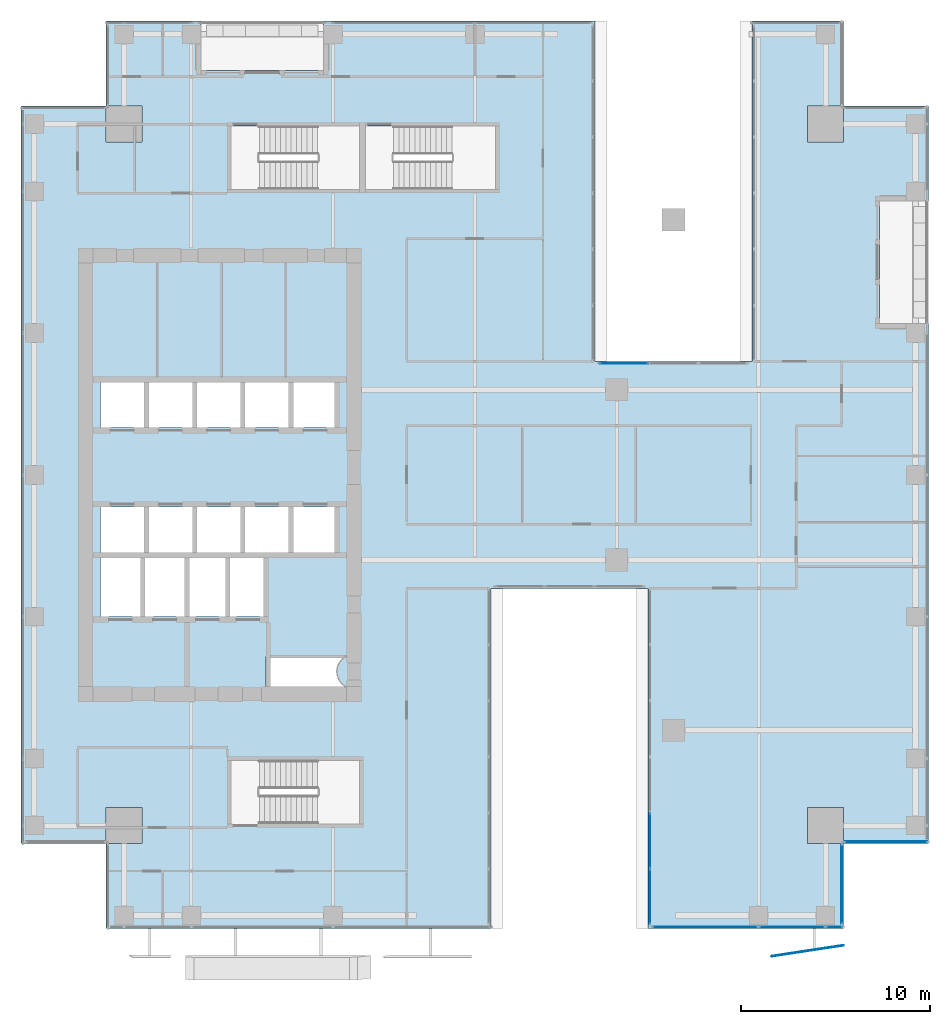
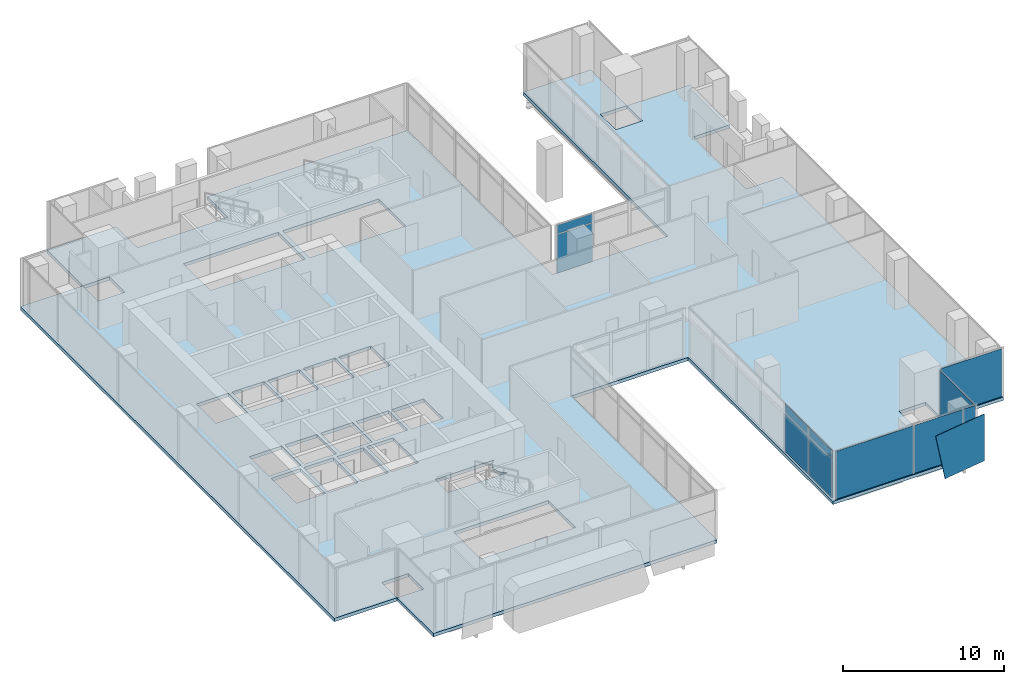
# One storey, part 30 of 40: 12 plates, 1 slab, 5 elements without a shape of their own.
"""IFC4 building model written with IfcOpenShell, lengths in metres."""

from ifc_helpers import new_model, si_unit, direction, frame, origin, origin_2d, place, context, subcontext, project, spatial, polyline, rectangle, outline, extrude, source, transform, mapped, material, layer, layer_set, type_object, element, aggregate, save


model = new_model("IFC4")

# Units and contexts
model_context = context("Model", 3, precision=1e-05, world=origin(), true_north=direction((0.0, 1.0)))
body_context = subcontext(model_context, "Body", "Model", "MODEL_VIEW")
ifc_project = project(units=[si_unit("LENGTHUNIT", "METRE"), si_unit("AREAUNIT", "SQUARE_METRE"), si_unit("VOLUMEUNIT", "CUBIC_METRE"), si_unit("PLANEANGLEUNIT", "RADIAN"), si_unit("MASSUNIT", "GRAM", prefix="KILO")], contexts=[model_context])

# Site, building, storey
site_placement = place(None, origin())
site = spatial("IfcSite", under=ifc_project, at=site_placement, CompositionType="ELEMENT")
building_placement = place(site_placement, origin())
building = spatial("IfcBuilding", under=site, at=building_placement, Name="Khomas Fold Tower", CompositionType="ELEMENT")
storey_placement = place(building_placement, frame((0.0, 0.0, 180.699951171875)))
storey = spatial("IfcBuildingStorey", under=building, at=storey_placement, Name="L39", CompositionType="ELEMENT", Elevation=180.699951171875)

# Plate
ifc_material_1 = material(Name="Clear laminated glass", Category="glass")
ifc_layer_1 = layer(ifc_material_1, 0.0400390625)
ifc_layer_set_1 = layer_set([ifc_layer_1], Name="Clear laminated glass")
plate_type_1 = type_object("IfcPlateType", Name="SK-Clear laminated glass leaf", PredefinedType="SHEET", material=ifc_layer_set_1)
plate_1_placement = place(storey_placement, frame((42.677978515625, 1.51904296875, 3.550048828125), z_axis=(0.150312170487, -0.988638584749, 1.2186045e-05), x_axis=(0.988638584823, 0.150312170498, -1.36e-10)))
element("IfcPlate", 1, at=plate_1_placement, inside=storey, type_object=plate_type_1, Name="OUTER SKIN glass L39 SG106-3", PredefinedType="SHEET", context=body_context, shape_type="SweptSolid", body=[
    extrude(outline(polyline([(0.0, 0.0), (3.8659375027305196, 0.0), (3.8659375032146244, -3.55004882786141), (0.7395909670662579, -3.5500488288149175), (0.0, 0.0)])), origin(), (0.0, 0.0, -1.0), 0.0400390625),
])

# Slab
ifc_material_2 = material(Name="Concrete C40/50", Category="concrete")
ifc_layer_2 = layer(ifc_material_2, 0.25)
ifc_layer_set_2 = layer_set([ifc_layer_2], Name="Concrete C40/50")
slab_type = type_object("IfcSlabType", Name="RC floor slab 250", PredefinedType="FLOOR", material=ifc_layer_set_2)
shared_shape_1 = source(origin(), body_context, "Body", "SweptSolid", [
    extrude(outline(polyline([(3.0, 7.5), (7.4951171875, 7.5), (7.4951171875, 9.405029296875), (9.405029296875, 9.405029296875), (9.405029296875, 7.4951171875), (7.5, 7.4951171875), (7.5, 3.0), (27.85009765625, 3.0), (27.85009765625, 21.0), (36.14990234375, 21.0), (36.14990234375, 3.0), (46.5, 3.0), (46.5, 7.4951171875), (44.594970703125, 7.4951171875), (44.594970703125, 9.405029296875), (46.5048828125, 9.405029296875), (46.5048828125, 7.5), (51.0, 7.5), (51.0, 35.0), (48.39990234375, 35.0), (48.39990234375, 41.5), (51.0, 41.5), (51.0, 46.5), (46.5048828125, 46.5), (46.5048828125, 44.594970703125), (44.594970703125, 44.594970703125), (44.594970703125, 46.5048828125), (46.5, 46.5048828125), (46.5, 51.0), (41.64990234375, 51.0), (41.64990234375, 33.0), (33.35009765625, 33.0), (33.35009765625, 51.0), (19.0, 51.0), (19.0, 48.39990234375), (12.5, 48.39990234375), (12.5, 51.0), (7.5, 51.0), (7.5, 46.5048828125), (9.405029296875, 46.5048828125), (9.405029296875, 44.594970703125), (7.4951171875, 44.594970703125), (7.4951171875, 46.5), (3.0, 46.5), (3.0, 7.5)]), holes=[polyline([(7.199951171875, 19.5), (7.199951171875, 22.60009765625), (9.300048828125, 22.60009765625), (9.300048828125, 19.5), (7.199951171875, 19.5)]), polyline([(7.199951171875, 22.89990234375), (7.199951171875, 25.300048828125), (9.5, 25.300048828125), (9.5, 22.89990234375), (7.199951171875, 22.89990234375)]), polyline([(7.199951171875, 29.5), (7.199951171875, 31.89990234375), (9.5, 31.89990234375), (9.5, 29.5), (7.199951171875, 29.5)]), polyline([(9.550048828125, 19.5), (9.550048828125, 22.60009765625), (11.64990234375, 22.60009765625), (11.64990234375, 19.5), (9.550048828125, 19.5)]), polyline([(9.75, 22.89990234375), (9.75, 25.300048828125), (12.050048828125, 25.300048828125), (12.050048828125, 22.89990234375), (9.75, 22.89990234375)]), polyline([(9.75, 29.5), (9.75, 31.89990234375), (12.050048828125, 31.89990234375), (12.050048828125, 29.5), (9.75, 29.5)]), polyline([(11.89990234375, 19.5), (11.89990234375, 22.60009765625), (13.800048828125, 22.60009765625), (13.800048828125, 19.5), (11.89990234375, 19.5)]), polyline([(12.300048828125, 22.89990234375), (12.300048828125, 25.300048828125), (14.60009765625, 25.300048828125), (14.60009765625, 22.89990234375), (12.300048828125, 22.89990234375)]), polyline([(12.300048828125, 29.5), (12.300048828125, 31.89990234375), (14.60009765625, 31.89990234375), (14.60009765625, 29.5), (12.300048828125, 29.5)]), polyline([(14.050048828125, 19.5), (14.050048828125, 22.60009765625), (15.949951171875, 22.60009765625), (15.949951171875, 19.5), (14.050048828125, 19.5)]), polyline([(14.10009765625, 8.550048828125), (14.10009765625, 11.89990234375), (20.89990234375, 11.89990234375), (20.89990234375, 8.550048828125), (14.10009765625, 8.550048828125)]), polyline([(14.10009765625, 42.10009765625), (14.10009765625, 45.449951171875), (20.89990234375, 45.449951171875), (20.89990234375, 42.10009765625), (14.10009765625, 42.10009765625)]), polyline([(14.85009765625, 22.89990234375), (14.85009765625, 25.300048828125), (17.14990234375, 25.300048828125), (17.14990234375, 22.89990234375), (14.85009765625, 22.89990234375)]), polyline([(14.85009765625, 29.5), (14.85009765625, 31.89990234375), (17.14990234375, 31.89990234375), (17.14990234375, 29.5), (14.85009765625, 29.5)]), polyline([(15.949951171875, 15.800048828125), (15.949951171875, 17.39990234375), (20.18896484375, 17.39990234375), (20.17578125, 17.393798828125), (20.10009765625, 17.348388671875), (20.029052734375, 17.295654296875), (19.963623046875, 17.236328125), (19.904296875, 17.1708984375), (19.851806640625, 17.10009765625), (19.806396484375, 17.0244140625), (19.7685546875, 16.9443359375), (19.73876953125, 16.861328125), (19.71728515625, 16.775634765625), (19.704345703125, 16.688232421875), (19.699951171875, 16.60009765625), (19.704345703125, 16.51171875), (19.71728515625, 16.42431640625), (19.73876953125, 16.338623046875), (19.7685546875, 16.255615234375), (19.806396484375, 16.17578125), (19.851806640625, 16.10009765625), (19.904296875, 16.029052734375), (19.963623046875, 15.963623046875), (20.029052734375, 15.904296875), (20.10009765625, 15.851806640625), (20.17578125, 15.806396484375), (20.18896484375, 15.800048828125), (15.949951171875, 15.800048828125)]), polyline([(17.39990234375, 22.89990234375), (17.39990234375, 25.300048828125), (19.699951171875, 25.300048828125), (19.699951171875, 22.89990234375), (17.39990234375, 22.89990234375)]), polyline([(17.39990234375, 29.5), (17.39990234375, 31.89990234375), (19.699951171875, 31.89990234375), (19.699951171875, 29.5), (17.39990234375, 29.5)]), polyline([(21.199951171875, 42.10009765625), (21.199951171875, 45.449951171875), (28.10009765625, 45.449951171875), (28.10009765625, 42.10009765625), (21.199951171875, 42.10009765625)])]), origin(), (0.0, 0.0, 1.0), 0.25),
])
slab_placement = place(storey_placement, frame((0.0, 0.0, -0.25)))
element("IfcSlab", 2, at=slab_placement, inside=storey, type_object=slab_type, Name="S-L39", PredefinedType="FLOOR", context=body_context, shape_type="MappedRepresentation", body=[
    mapped(shared_shape_1, transform((0.0, 0.0, 0.0))),
])

# Curtain wall, plate
ifc_material_3 = material(Name="Aluminium framed double glazing", Category="aluminium")
curtain_wall_type_1 = type_object("IfcCurtainWallType", Name="SK-Unitised clear-glass wall, office floors CW2", PredefinedType="NOTDEFINED", material=ifc_material_3)
curtain_wall_1_placement = place(storey_placement, origin())
curtain_wall_1 = element("IfcCurtainWall", 3, at=curtain_wall_1_placement, inside=storey, type_object=curtain_wall_type_1, Name="CW2 corner return L39 07", PredefinedType="NOTDEFINED")
ifc_material_4 = material(Name="Clear double glazed unit")
ifc_layer_3 = layer(ifc_material_4, 0.030029296875)
ifc_layer_set_3 = layer_set([ifc_layer_3], Name="Clear double glazed unit")
plate_type_2 = type_object("IfcPlateType", Name="SK-Unitised clear-glass wall, office floors glass panel CW2-P", PredefinedType="CURTAIN_PANEL", material=ifc_layer_set_3)
shared_shape_2 = source(origin(), body_context, "Body", "SweptSolid", [
    extrude(rectangle(XDim=4.3798828125, YDim=0.030029296875, at=origin_2d()), origin(), (0.0, 0.0, 1.0), 3.639892578125),
])
plate_2_placement = place(storey_placement, frame((48.75, 7.60009765625, 0.0), z_axis=(0.0, 0.0, 1.0), x_axis=(1.0, 0.0, 0.0)))
plate_2 = element("IfcPlate", 4, at=plate_2_placement, type_object=plate_type_2, Name="CW2 glass panel 1", PredefinedType="CURTAIN_PANEL", context=body_context, shape_type="MappedRepresentation", body=[
    mapped(shared_shape_2, transform((0.0, 0.0, 0.0))),
])
aggregate(curtain_wall_1, [plate_2])

curtain_wall_2_placement = place(storey_placement, origin())
curtain_wall_2 = element("IfcCurtainWall", 5, at=curtain_wall_2_placement, inside=storey, type_object=curtain_wall_type_1, Name="CW2 run L39 05-0", PredefinedType="NOTDEFINED")
shared_shape_3 = source(origin(), body_context, "Body", "SweptSolid", [
    extrude(rectangle(XDim=3.489990234375, YDim=0.030029296875, at=origin_2d()), origin(), (0.0, 0.0, 1.0), 3.639892578125),
])
plate_3_placement = place(storey_placement, frame((43.77490234375, 3.10009765625, 0.0), z_axis=(0.0, 0.0, 1.0), x_axis=(1.0, 0.0, 0.0)))
plate_3 = element("IfcPlate", 6, at=plate_3_placement, type_object=plate_type_2, Name="CW2 glass panel 2", PredefinedType="CURTAIN_PANEL", context=body_context, shape_type="MappedRepresentation", body=[
    mapped(shared_shape_3, transform((0.0, 0.0, 0.0))),
])

curtain_wall_3_placement = place(storey_placement, origin())
curtain_wall_3 = element("IfcCurtainWall", 7, at=curtain_wall_3_placement, inside=storey, type_object=curtain_wall_type_1, Name="CW2 corner return L39 06", PredefinedType="NOTDEFINED")
shared_shape_4 = source(origin(), body_context, "Body", "SweptSolid", [
    extrude(rectangle(XDim=4.179931640625, YDim=0.030029296875, at=origin_2d()), origin(), (0.0, 0.0, 1.0), 3.639892578125),
])
plate_4_placement = place(storey_placement, frame((46.39990234375, 5.35009765625, 0.0), z_axis=(0.0, 0.0, 1.0), x_axis=(0.0, 1.0, 0.0)))
plate_4 = element("IfcPlate", 8, at=plate_4_placement, type_object=plate_type_2, Name="CW2 glass panel 1", PredefinedType="CURTAIN_PANEL", context=body_context, shape_type="MappedRepresentation", body=[
    mapped(shared_shape_4, transform((0.0, 0.0, 0.0))),
])
aggregate(curtain_wall_3, [plate_4])

# Plate
shared_shape_5 = source(origin(), body_context, "Body", "SweptSolid", [
    extrude(rectangle(XDim=0.860107421875, YDim=0.030029296875, at=origin_2d()), origin(), (0.0, 0.0, 1.0), 3.639892578125),
])
plate_5_placement = place(storey_placement, frame((46.010009765625, 3.10009765625, 0.0), z_axis=(0.0, 0.0, 1.0), x_axis=(1.0, 0.0, 0.0)))
plate_5 = element("IfcPlate", 9, at=plate_5_placement, type_object=plate_type_2, Name="CW2 glass panel 3", PredefinedType="CURTAIN_PANEL", context=body_context, shape_type="MappedRepresentation", body=[
    mapped(shared_shape_5, transform((0.0, 0.0, 0.0))),
])

shared_shape_6 = source(origin(), body_context, "Body", "SweptSolid", [
    extrude(rectangle(XDim=5.56005859375, YDim=0.030029296875, at=origin_2d()), origin(), (0.0, 0.0, 1.0), 3.639892578125),
])
plate_6_placement = place(storey_placement, frame((39.18994140625, 3.10009765625, 0.0), z_axis=(0.0, 0.0, 1.0), x_axis=(1.0, 0.0, 0.0)))
plate_6 = element("IfcPlate", 10, at=plate_6_placement, type_object=plate_type_2, Name="CW2 glass panel 1", PredefinedType="CURTAIN_PANEL", context=body_context, shape_type="MappedRepresentation", body=[
    mapped(shared_shape_6, transform((0.0, 0.0, 0.0))),
])

aggregate(curtain_wall_2, [plate_6, plate_3, plate_5])

# Curtain wall, plates
ifc_material_5 = material(Name="Aluminium framed double glazing", Category="aluminium")
curtain_wall_type_2 = type_object("IfcCurtainWallType", Name="Notch glazing GN-CW", PredefinedType="NOTDEFINED", material=ifc_material_5)
curtain_wall_4_placement = place(storey_placement, origin())
curtain_wall_4 = element("IfcCurtainWall", 11, at=curtain_wall_4_placement, inside=storey, type_object=curtain_wall_type_2, Name="Notch glazing run", PredefinedType="NOTDEFINED")
ifc_material_6 = material(Name="Double glazed unit")
ifc_layer_4 = layer(ifc_material_6, 0.031982421875)
ifc_layer_set_4 = layer_set([ifc_layer_4], Name="Double glazed unit")
plate_type_3 = type_object("IfcPlateType", Name="Notch glazing panel GN-CW-P", PredefinedType="CURTAIN_PANEL", material=ifc_layer_set_4)
shared_shape_7 = source(origin(), body_context, "Body", "SweptSolid", [
    extrude(rectangle(XDim=2.876708984375, YDim=0.031982421875, at=origin_2d()), origin(), (0.0, 0.0, 1.0), 2.909912109375),
])
plate_7_placement = place(storey_placement, frame((36.25, 4.6982421875, 0.06005859375), z_axis=(0.0, 0.0, 1.0), x_axis=(0.0, -1.0, 0.0)))
plate_7 = element("IfcPlate", 12, at=plate_7_placement, type_object=plate_type_3, Name="GN-CW panel 6.1", PredefinedType="CURTAIN_PANEL", context=body_context, shape_type="MappedRepresentation", body=[
    mapped(shared_shape_7, transform((0.0, 0.0, 0.0))),
])
shared_shape_8 = source(origin(), body_context, "Body", "SweptSolid", [
    extrude(rectangle(XDim=2.90673828125, YDim=0.031982421875, at=origin_2d()), origin(), (0.0, 0.0, 1.0), 2.909912109375),
])
plate_8_placement = place(storey_placement, frame((36.25, 7.64990234375, 0.06005859375), z_axis=(0.0, 0.0, 1.0), x_axis=(0.0, -1.0, 0.0)))
plate_8 = element("IfcPlate", 13, at=plate_8_placement, type_object=plate_type_3, Name="GN-CW panel 5.1", PredefinedType="CURTAIN_PANEL", context=body_context, shape_type="MappedRepresentation", body=[
    mapped(shared_shape_8, transform((0.0, 0.0, 0.0))),
])
shared_shape_9 = source(origin(), body_context, "Body", "SweptSolid", [
    extrude(rectangle(XDim=2.876708984375, YDim=0.031982421875, at=origin_2d()), origin(), (0.0, 0.0, 1.0), 0.659912109375),
])
plate_9_placement = place(storey_placement, frame((36.25, 4.6982421875, 3.0302734375), z_axis=(0.0, 0.0, 1.0), x_axis=(0.0, -1.0, 0.0)))
plate_9 = element("IfcPlate", 14, at=plate_9_placement, type_object=plate_type_3, Name="GN-CW panel 6.2", PredefinedType="CURTAIN_PANEL", context=body_context, shape_type="MappedRepresentation", body=[
    mapped(shared_shape_9, transform((0.0, 0.0, 0.0))),
])
shared_shape_10 = source(origin(), body_context, "Body", "SweptSolid", [
    extrude(rectangle(XDim=2.90673828125, YDim=0.031982421875, at=origin_2d()), origin(), (0.0, 0.0, 1.0), 0.659912109375),
])
plate_10_placement = place(storey_placement, frame((36.25, 7.64990234375, 3.0302734375), z_axis=(0.0, 0.0, 1.0), x_axis=(0.0, -1.0, 0.0)))
plate_10 = element("IfcPlate", 15, at=plate_10_placement, type_object=plate_type_3, Name="GN-CW panel 5.2", PredefinedType="CURTAIN_PANEL", context=body_context, shape_type="MappedRepresentation", body=[
    mapped(shared_shape_10, transform((0.0, 0.0, 0.0))),
])
aggregate(curtain_wall_4, [plate_8, plate_10, plate_7, plate_9])

curtain_wall_5_placement = place(storey_placement, origin())
curtain_wall_5 = element("IfcCurtainWall", 16, at=curtain_wall_5_placement, inside=storey, type_object=curtain_wall_type_2, Name="Notch glazing run", PredefinedType="NOTDEFINED")
shared_shape_11 = source(origin(), body_context, "Body", "SweptSolid", [
    extrude(rectangle(XDim=2.543212890625, YDim=0.031982421875, at=origin_2d()), origin(), (0.0, 0.0, 1.0), 2.909912109375),
])
plate_11_placement = place(storey_placement, frame((34.881591796875, 32.89990234375, 0.06005859375), z_axis=(0.0, 0.0, 1.0), x_axis=(-1.0, 0.0, 0.0)))
plate_11 = element("IfcPlate", 17, at=plate_11_placement, type_object=plate_type_3, Name="GN-CW panel 3.1", PredefinedType="CURTAIN_PANEL", context=body_context, shape_type="MappedRepresentation", body=[
    mapped(shared_shape_11, transform((0.0, 0.0, 0.0))),
])
shared_shape_12 = source(origin(), body_context, "Body", "SweptSolid", [
    extrude(rectangle(XDim=2.543212890625, YDim=0.031982421875, at=origin_2d()), origin(), (0.0, 0.0, 1.0), 0.659912109375),
])
plate_12_placement = place(storey_placement, frame((34.881591796875, 32.89990234375, 3.0302734375), z_axis=(0.0, 0.0, 1.0), x_axis=(-1.0, 0.0, 0.0)))
plate_12 = element("IfcPlate", 18, at=plate_12_placement, type_object=plate_type_3, Name="GN-CW panel 3.2", PredefinedType="CURTAIN_PANEL", context=body_context, shape_type="MappedRepresentation", body=[
    mapped(shared_shape_12, transform((0.0, 0.0, 0.0))),
])
aggregate(curtain_wall_5, [plate_11, plate_12])

save(model, "model.ifc")
